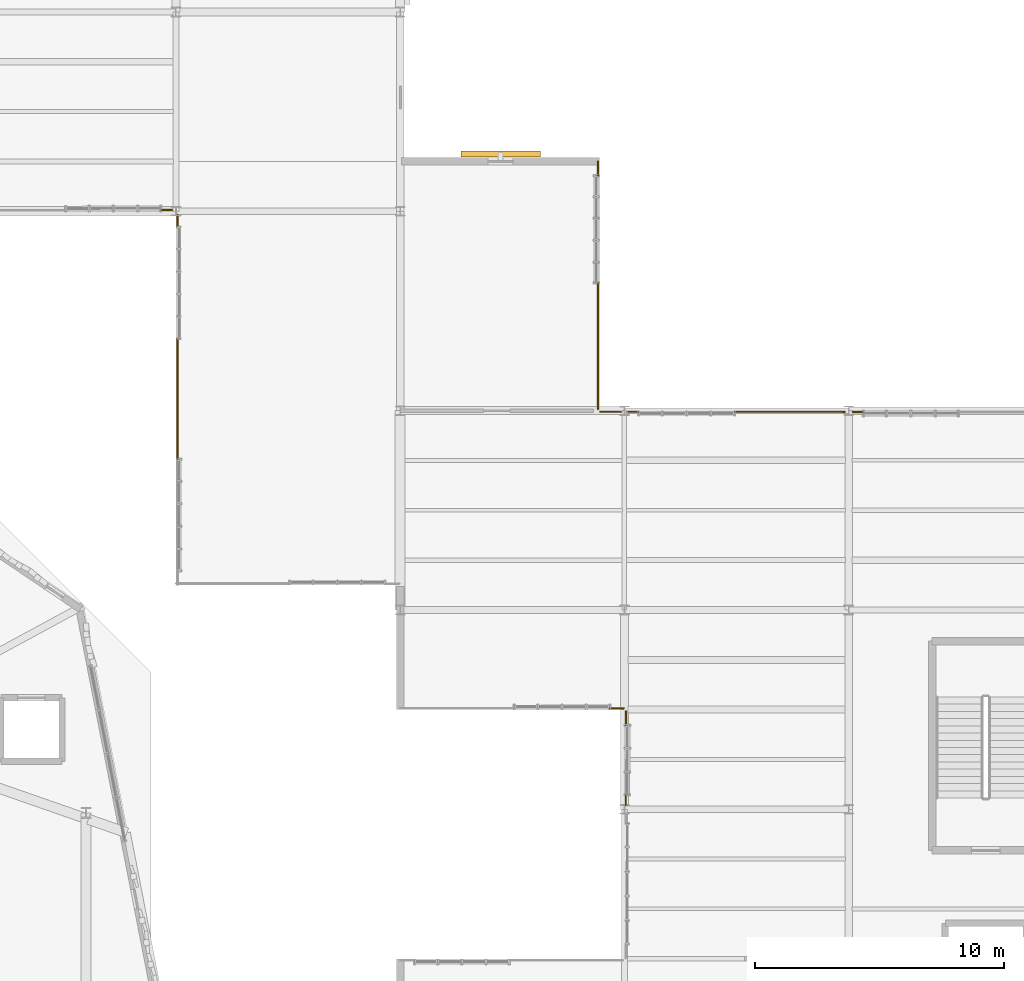
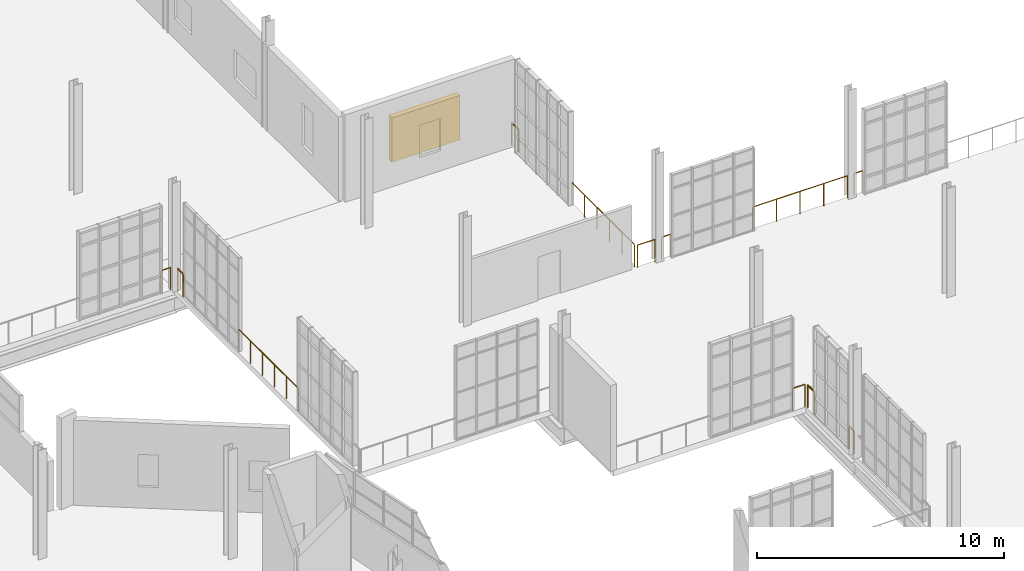
# One storey, part 138 of 142: 12 railings, 1 shading device.
"""IFC4 building model written with IfcOpenShell, lengths in metres."""

from ifc_helpers import new_model, si_unit, direction, frame, frame_2d, origin, origin_2d, place, context, subcontext, project, spatial, rectangle, circle, extrude, material, type_object, element, save


model = new_model("IFC4")

# Units and contexts
model_context = context("Model", 3, precision=1e-05, world=origin(), true_north=direction((0.0, 1.0)))
body_context = subcontext(model_context, "Body", "Model", "MODEL_VIEW")
ifc_project = project(units=[si_unit("LENGTHUNIT", "METRE"), si_unit("AREAUNIT", "SQUARE_METRE"), si_unit("VOLUMEUNIT", "CUBIC_METRE"), si_unit("PLANEANGLEUNIT", "RADIAN"), si_unit("MASSUNIT", "GRAM", prefix="KILO"), si_unit("THERMODYNAMICTEMPERATUREUNIT", "KELVIN"), si_unit("POWERUNIT", "WATT")], contexts=[model_context])

# Site, building, storey
site_placement = place(None, origin())
site = spatial("IfcSite", under=ifc_project, at=site_placement, CompositionType="ELEMENT")
building_placement = place(site_placement, origin())
building = spatial("IfcBuilding", under=site, at=building_placement, Name="Zelmaris Science Centre", CompositionType="ELEMENT")
storey_placement = place(building_placement, frame((0.0, 0.0, 5.39990234375)))
storey = spatial("IfcBuildingStorey", under=building, at=storey_placement, Name="L01", CompositionType="ELEMENT", Elevation=5.39990234375)

# Railings
ifc_material = material(Name="Architectural bronze alloy C28000")
railing_type = type_object("IfcRailingType", Name="Balustrade GD-01 H1120", PredefinedType="BALUSTRADE", material=ifc_material)
railing_1_placement = place(storey_placement, frame((115.93994140625, 66.0, 0.0)))
element("IfcRailing", 1, at=railing_1_placement, inside=storey, type_object=railing_type, Name="L01 Perimeter safety balustrade 69", PredefinedType="BALUSTRADE", context=body_context, shape_type="SweptSolid", body=[
    extrude(circle(Radius=0.02392578125, at=origin_2d()), frame((0.0, 0.0, 1.09619140625), z_axis=(0.0, -1.0, 0.0), x_axis=(1.0, 0.0, 0.0)), (0.0, 0.0, 1.0), 0.570068359375),
    extrude(circle(Radius=0.02099609375, at=origin_2d()), origin(), (0.0, 0.0, 1.0), 1.072021484375),
    extrude(circle(Radius=0.02099609375, at=origin_2d()), frame((0.0, -0.570068359375, 0.0)), (0.0, 0.0, 1.0), 1.072021484375),
])
railing_2_placement = place(storey_placement, frame((115.93994140625, 61.1201171875, 0.0)))
element("IfcRailing", 2, at=railing_2_placement, inside=storey, type_object=railing_type, Name="L01 Perimeter safety balustrade 70", PredefinedType="BALUSTRADE", context=body_context, shape_type="SweptSolid", body=[
    extrude(circle(Radius=0.02392578125, at=origin_2d()), frame((0.0, 0.0, 1.09619140625), z_axis=(0.0, -1.0, 0.0), x_axis=(1.0, 0.0, 0.0)), (0.0, 0.0, 1.0), 5.06005859375),
    extrude(circle(Radius=0.02099609375, at=origin_2d()), origin(), (0.0, 0.0, 1.0), 1.072021484375),
    extrude(circle(Radius=0.02099609375, at=origin_2d()), frame((0.0, -1.011962890625, 0.0)), (0.0, 0.0, 1.0), 1.072021484375),
    extrude(circle(Radius=0.02099609375, at=origin_2d()), frame((0.0, -2.02392578125, 0.0)), (0.0, 0.0, 1.0), 1.072021484375),
    extrude(circle(Radius=0.02099609375, at=origin_2d()), frame((0.0, -3.0361328125, 0.0)), (0.0, 0.0, 1.0), 1.072021484375),
    extrude(circle(Radius=0.02099609375, at=origin_2d()), frame((0.0, -4.048095703125, 0.0)), (0.0, 0.0, 1.0), 1.072021484375),
    extrude(circle(Radius=0.02099609375, at=origin_2d()), frame((0.0, -5.06005859375, 0.0)), (0.0, 0.0, 1.0), 1.072021484375),
])
railing_3_placement = place(storey_placement, frame((116.02197265625, 55.95361328125, 0.0)))
element("IfcRailing", 3, at=railing_3_placement, inside=storey, type_object=railing_type, Name="L01 Perimeter safety balustrade 71", PredefinedType="BALUSTRADE", context=body_context, shape_type="SweptSolid", body=[
    extrude(circle(Radius=0.02392578125, at=origin_2d()), frame((0.0, 0.0, 1.09619140625), z_axis=(0.999999824417, -0.000592592489, 0.0), x_axis=(0.000592592489, 0.999999824417, 0.0)), (0.0, 0.0, 1.0), 0.823974609375),
    extrude(circle(Radius=0.02099609375, at=origin_2d()), origin(), (0.0, 0.0, 1.0), 1.072021484375),
    extrude(circle(Radius=0.02099609375, at=origin_2d()), frame((0.823974609375, -0.00048828125, 0.0)), (0.0, 0.0, 1.0), 1.072021484375),
])
railing_4_placement = place(storey_placement, frame((117.154052734375, 55.953125, 0.0)))
element("IfcRailing", 4, at=railing_4_placement, inside=storey, type_object=railing_type, Name="L01 Perimeter safety balustrade 72", PredefinedType="BALUSTRADE", context=body_context, shape_type="SweptSolid", body=[
    extrude(circle(Radius=0.02392578125, at=origin_2d()), frame((0.0, 0.0, 1.09619140625), z_axis=(0.999999827599, -0.000587198959, 0.0), x_axis=(0.000587198959, 0.999999827599, 0.0)), (0.0, 0.0, 1.0), 0.415771484375),
    extrude(circle(Radius=0.02099609375, at=origin_2d()), origin(), (0.0, 0.0, 1.0), 1.072021484375),
    extrude(circle(Radius=0.02099609375, at=origin_2d()), frame((0.415771484375, -0.000244140625, 0.0)), (0.0, 0.0, 1.0), 1.072021484375),
])
railing_5_placement = place(storey_placement, frame((121.409912109375, 55.950927734375, 0.0)))
element("IfcRailing", 5, at=railing_5_placement, inside=storey, type_object=railing_type, Name="L01 Perimeter safety balustrade 73", PredefinedType="BALUSTRADE", context=body_context, shape_type="SweptSolid", body=[
    extrude(circle(Radius=0.02392578125, at=origin_2d()), frame((0.0, 0.0, 1.09619140625), z_axis=(0.999999877328, -0.000495321899, 0.0), x_axis=(0.000495321899, 0.999999877328, 0.0)), (0.0, 0.0, 1.0), 4.43603515625),
    extrude(circle(Radius=0.02099609375, at=origin_2d()), origin(), (0.0, 0.0, 1.0), 1.072021484375),
    extrude(circle(Radius=0.02099609375, at=origin_2d()), frame((1.10888671875, -0.00048828125, 0.0)), (0.0, 0.0, 1.0), 1.072021484375),
    extrude(circle(Radius=0.02099609375, at=origin_2d()), frame((2.218017578125, -0.0009765625, 0.0)), (0.0, 0.0, 1.0), 1.072021484375),
    extrude(circle(Radius=0.02099609375, at=origin_2d()), frame((3.3271484375, -0.001708984375, 0.0)), (0.0, 0.0, 1.0), 1.072021484375),
    extrude(circle(Radius=0.02099609375, at=origin_2d()), frame((4.43603515625, -0.002197265625, 0.0)), (0.0, 0.0, 1.0), 1.072021484375),
])
railing_6_placement = place(storey_placement, frame((126.154052734375, 55.94873046875, 0.0)))
element("IfcRailing", 6, at=railing_6_placement, inside=storey, type_object=railing_type, Name="L01 Perimeter safety balustrade 74", PredefinedType="BALUSTRADE", context=body_context, shape_type="SweptSolid", body=[
    extrude(circle(Radius=0.02392578125, at=origin_2d()), frame((0.0, 0.0, 1.09619140625), z_axis=(0.999999827599, -0.000587198959, 0.0), x_axis=(0.000587198959, 0.999999827599, 0.0)), (0.0, 0.0, 1.0), 0.415771484375),
    extrude(circle(Radius=0.02099609375, at=origin_2d()), origin(), (0.0, 0.0, 1.0), 1.072021484375),
    extrude(circle(Radius=0.02099609375, at=origin_2d()), frame((0.415771484375, -0.000244140625, 0.0)), (0.0, 0.0, 1.0), 1.072021484375),
])
railing_7_placement = place(storey_placement, frame((98.85205078125, 64.0498046875, 0.0)))
element("IfcRailing", 7, at=railing_7_placement, inside=storey, type_object=railing_type, Name="L01 Perimeter safety balustrade 94", PredefinedType="BALUSTRADE", context=body_context, shape_type="SweptSolid", body=[
    extrude(circle(Radius=0.02392578125, at=origin_2d()), frame((0.0, 0.0, 1.09619140625), z_axis=(-0.999999851994, -0.00054406956, 0.0), x_axis=(0.00054406956, -0.999999851994, 0.0)), (0.0, 0.0, 1.0), 0.44873046875),
    extrude(circle(Radius=0.02099609375, at=origin_2d()), origin(), (0.0, 0.0, 1.0), 1.072021484375),
    extrude(circle(Radius=0.02099609375, at=origin_2d()), frame((-0.44873046875, -0.000244140625, 0.0)), (0.0, 0.0, 1.0), 1.072021484375),
])
railing_8_placement = place(storey_placement, frame((117.05615234375, 40.15380859375, 0.0)))
element("IfcRailing", 8, at=railing_8_placement, inside=storey, type_object=railing_type, Name="L01 Perimeter safety balustrade 101", PredefinedType="BALUSTRADE", context=body_context, shape_type="SweptSolid", body=[
    extrude(circle(Radius=0.02392578125, at=origin_2d()), frame((0.0, 0.0, 1.09619140625), z_axis=(0.001173019721, 0.999999312012, 0.0), x_axis=(-0.999999312012, 0.001173019721, 0.0)), (0.0, 0.0, 1.0), 0.416259765625),
    extrude(circle(Radius=0.02099609375, at=origin_2d()), origin(), (0.0, 0.0, 1.0), 1.072021484375),
    extrude(circle(Radius=0.02099609375, at=origin_2d()), frame((0.00048828125, 0.416259765625, 0.0)), (0.0, 0.0, 1.0), 1.072021484375),
])
railing_9_placement = place(storey_placement, frame((117.059326171875, 43.3701171875, 0.0)))
element("IfcRailing", 9, at=railing_9_placement, inside=storey, type_object=railing_type, Name="L01 Perimeter safety balustrade 102", PredefinedType="BALUSTRADE", context=body_context, shape_type="SweptSolid", body=[
    extrude(circle(Radius=0.02392578125, at=origin_2d()), frame((0.0, 0.0, 1.09619140625), z_axis=(0.001285345982, 0.999999173943, 0.0), x_axis=(-0.999999173943, 0.001285345982, 0.0)), (0.0, 0.0, 1.0), 0.56982421875),
    extrude(circle(Radius=0.02099609375, at=origin_2d()), origin(), (0.0, 0.0, 1.0), 1.072021484375),
    extrude(circle(Radius=0.02099609375, at=origin_2d()), frame((0.000732421875, 0.56982421875, 0.0)), (0.0, 0.0, 1.0), 1.072021484375),
])
railing_10_placement = place(storey_placement, frame((116.978271484375, 44.04638671875, 0.0)))
element("IfcRailing", 10, at=railing_10_placement, inside=storey, type_object=railing_type, Name="L01 Perimeter safety balustrade 103", PredefinedType="BALUSTRADE", context=body_context, shape_type="SweptSolid", body=[
    extrude(circle(Radius=0.02392578125, at=origin_2d()), frame((0.0, 0.0, 1.09619140625), z_axis=(-0.99999917465, 0.001284795513, 0.0), x_axis=(-0.001284795513, -0.99999917465, 0.0)), (0.0, 0.0, 1.0), 0.570068359375),
    extrude(circle(Radius=0.02099609375, at=origin_2d()), origin(), (0.0, 0.0, 1.0), 1.072021484375),
    extrude(circle(Radius=0.02099609375, at=origin_2d()), frame((-0.570068359375, 0.000732421875, 0.0)), (0.0, 0.0, 1.0), 1.072021484375),
])
railing_11_placement = place(storey_placement, frame((99.06005859375, 54.050048828125, 0.0)))
element("IfcRailing", 11, at=railing_11_placement, inside=storey, type_object=railing_type, Name="L01 Perimeter safety balustrade 108", PredefinedType="BALUSTRADE", context=body_context, shape_type="SweptSolid", body=[
    extrude(circle(Radius=0.02392578125, at=origin_2d()), frame((0.0, 0.0, 1.09619140625), z_axis=(0.0, 1.0, 0.0), x_axis=(-1.0, 0.0, 0.0)), (0.0, 0.0, 1.0), 4.83984375),
    extrude(circle(Radius=0.02099609375, at=origin_2d()), origin(), (0.0, 0.0, 1.0), 1.072021484375),
    extrude(circle(Radius=0.02099609375, at=origin_2d()), frame((0.0, 0.968017578125, 0.0)), (0.0, 0.0, 1.0), 1.072021484375),
    extrude(circle(Radius=0.02099609375, at=origin_2d()), frame((0.0, 1.93603515625, 0.0)), (0.0, 0.0, 1.0), 1.072021484375),
    extrude(circle(Radius=0.02099609375, at=origin_2d()), frame((0.0, 2.90380859375, 0.0)), (0.0, 0.0, 1.0), 1.072021484375),
    extrude(circle(Radius=0.02099609375, at=origin_2d()), frame((0.0, 3.871826171875, 0.0)), (0.0, 0.0, 1.0), 1.072021484375),
    extrude(circle(Radius=0.02099609375, at=origin_2d()), frame((0.0, 4.83984375, 0.0)), (0.0, 0.0, 1.0), 1.072021484375),
])
railing_12_placement = place(storey_placement, frame((99.06005859375, 63.3701171875, 0.0)))
element("IfcRailing", 12, at=railing_12_placement, inside=storey, type_object=railing_type, Name="L01 Perimeter safety balustrade 109", PredefinedType="BALUSTRADE", context=body_context, shape_type="SweptSolid", body=[
    extrude(circle(Radius=0.02392578125, at=origin_2d()), frame((0.0, 0.0, 1.09619140625), z_axis=(0.0, 1.0, 0.0), x_axis=(-1.0, 0.0, 0.0)), (0.0, 0.0, 1.0), 0.48193359375),
    extrude(circle(Radius=0.02099609375, at=origin_2d()), origin(), (0.0, 0.0, 1.0), 1.072021484375),
    extrude(circle(Radius=0.02099609375, at=origin_2d()), frame((0.0, 0.48193359375, 0.0)), (0.0, 0.0, 1.0), 1.072021484375),
])

# Shading device
shading_device_type = type_object("IfcShadingDeviceType", Name="Bronze Storm Louvre LV-02 3200x2200", PredefinedType="JALOUSIE", material=ifc_material)
shading_device_placement = place(storey_placement, frame((110.429931640625, 66.300048828125, 0.9501953125), z_axis=(0.0, 0.0, 1.0), x_axis=(1.0, 0.0, 0.0)))
element("IfcShadingDevice", 13, at=shading_device_placement, inside=storey, type_object=shading_device_type, Name="L01 Bronze storm louvre 8", PredefinedType="JALOUSIE", context=body_context, shape_type="SweptSolid", body=[
    extrude(rectangle(XDim=3.199951171875, YDim=0.239990234375, at=frame_2d((1.60009765625, 0.0))), origin(), (0.0, 0.0, 1.0), 2.199951171875),
])

save(model, "model.ifc")
